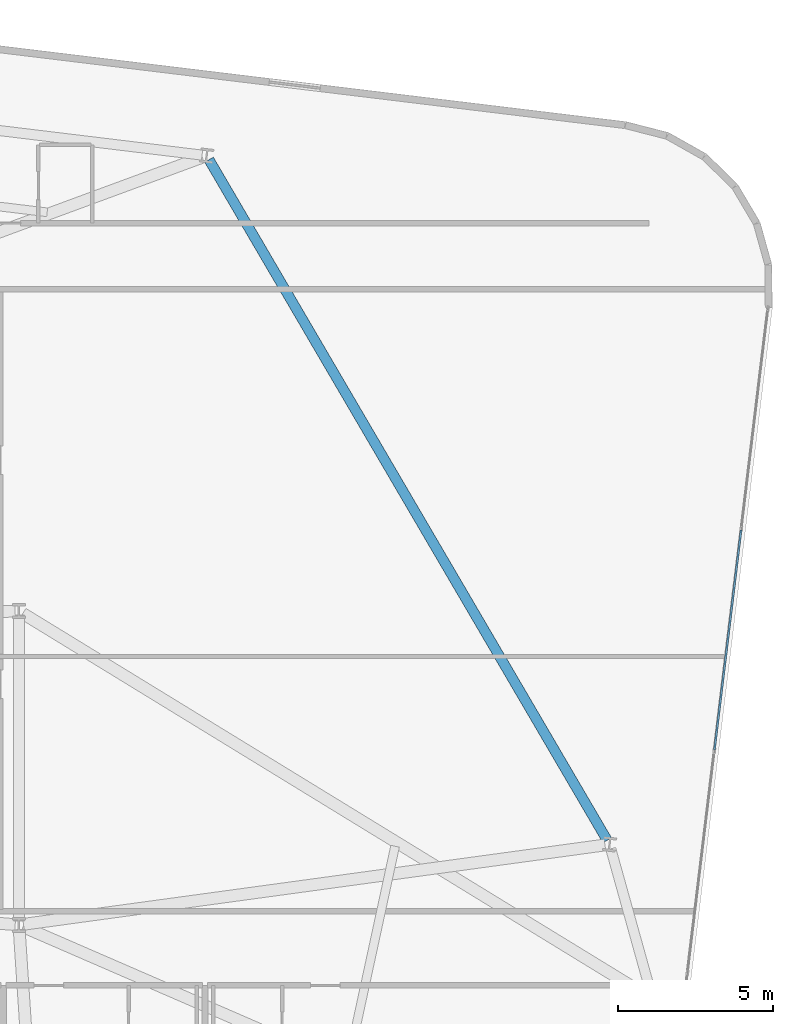
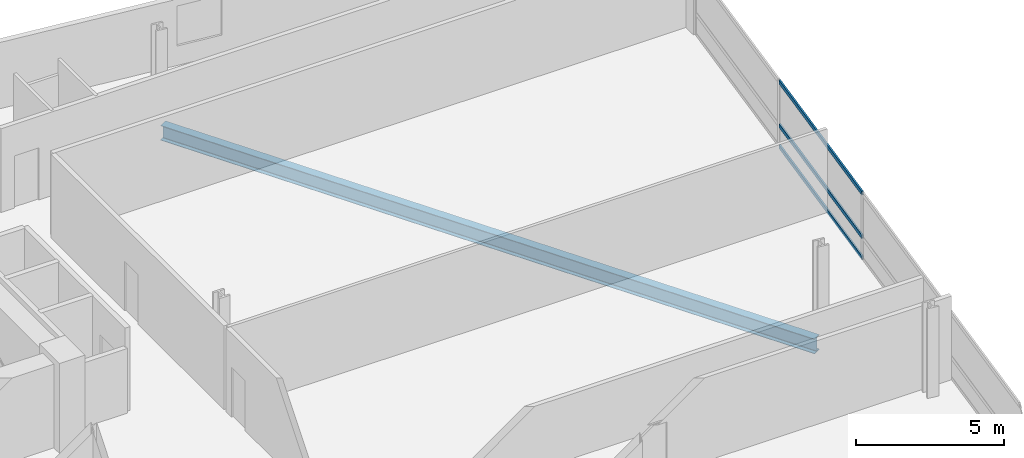
# One storey, part 17 of 26: 3 members, 1 beam, 1 element without a shape of its own.
"""IFC4 building model written with IfcOpenShell, lengths in metres."""

from ifc_helpers import new_model, si_unit, direction, frame, origin, origin_2d, place, context, subcontext, project, spatial, hollow_rectangle, i_section, extrude, material, layer, layer_set, material_profile, profile_set, type_object, element, aggregate, save


model = new_model("IFC4")

# Units and contexts
model_context = context("Model", 3, precision=1e-05, world=origin(), true_north=direction((0.0, 1.0)))
body_context = subcontext(model_context, "Body", "Model", "MODEL_VIEW")
ifc_project = project(units=[si_unit("LENGTHUNIT", "METRE"), si_unit("AREAUNIT", "SQUARE_METRE"), si_unit("VOLUMEUNIT", "CUBIC_METRE"), si_unit("PLANEANGLEUNIT", "RADIAN"), si_unit("MASSUNIT", "GRAM", prefix="KILO")], contexts=[model_context])

# Site, building, storey
site_placement = place(None, origin())
site = spatial("IfcSite", under=ifc_project, at=site_placement, CompositionType="ELEMENT")
building_placement = place(site_placement, origin())
building = spatial("IfcBuilding", under=site, at=building_placement, Name="Varnelok Gate Tower", CompositionType="ELEMENT")
storey_placement = place(building_placement, frame((0.0, 0.0, 125.39990234375)))
storey = spatial("IfcBuildingStorey", under=building, at=storey_placement, Name="L31", CompositionType="ELEMENT", Elevation=125.39990234375)

# Beam
ifc_material_1 = material(Name="Structural Steel ASTM A992 Grade 50", Category="steel")
ifc_material_profile_1 = material_profile(ifc_material_1, i_section(OverallWidth=0.323974609375, OverallDepth=0.611083984375, WebThickness=0.0126953125, FlangeThickness=0.01904296875, FilletRadius=0.01806640625, at=origin_2d()), Name="W24X104")
ifc_profile_set_1 = profile_set([ifc_material_profile_1], Name="Structural Steel ASTM A992 Grade 50")
beam_type = type_object("IfcBeamType", Name="BM-SPN-W24X104", PredefinedType="SPANDREL", material=ifc_profile_set_1)
beam_placement = place(storey_placement, frame((72.96875, 21.528076171875, -0.555419921875), z_axis=(-0.504960797965, 0.863142278259, 0.0), x_axis=(-0.863142278259, -0.504960797965, 0.0)))
element("IfcBeam", 1, at=beam_placement, inside=storey, type_object=beam_type, Name="L31 Perimeter Spandrel Beam 8", PredefinedType="SPANDREL", context=body_context, shape_type="SweptSolid", body=[
    extrude(i_section(OverallWidth=0.323974609375, OverallDepth=0.611083984375, WebThickness=0.0126953125, FlangeThickness=0.01904296875, FilletRadius=0.01806640625, at=origin_2d()), origin(), (0.0, 0.0, 1.0), 25.425537109375),
])

# Curtain wall, members
ifc_material_2 = material(Name="Anodized Aluminum Alloy 6063-T6", Category="aluminium")
ifc_layer = layer(ifc_material_2, 0.179931640625)
ifc_layer_set = layer_set([ifc_layer], Name="Anodized Aluminum Alloy 6063-T6")
curtain_wall_type = type_object("IfcCurtainWallType", Name="CW3-HOTEL-VISION", PredefinedType="USERDEFINED", material=ifc_layer_set)
curtain_wall_placement = place(storey_placement, origin())
curtain_wall = element("IfcCurtainWall", 2, at=curtain_wall_placement, inside=storey, type_object=curtain_wall_type, Name="L31 East End Vision Curtain Wall", ObjectType="UNITISED CURTAIN WALL", PredefinedType="USERDEFINED")
ifc_material_profile_2 = material_profile(ifc_material_2, hollow_rectangle(XDim=0.06494140625, YDim=0.159912109375, WallThickness=0.00390625, at=origin_2d()), Name="ALU160X65X4")
ifc_profile_set_2 = profile_set([ifc_material_profile_2], Name="Anodized Aluminum Alloy 6063-T6")
member_type = type_object("IfcMemberType", Name="CW-TRAN-160", PredefinedType="USERDEFINED", material=ifc_profile_set_2)
member_1_placement = place(storey_placement, frame((77.286376953125, 31.529296875, 0.03271484375), z_axis=(-0.120340564253, -0.992732667235, 0.0), x_axis=(0.992732667235, -0.120340564253, 0.0)))
member_1 = element("IfcMember", 3, at=member_1_placement, type_object=member_type, Name="CW3 transom 2.1", ObjectType="TRANSOM", PredefinedType="USERDEFINED", context=body_context, shape_type="SweptSolid", body=[
    extrude(hollow_rectangle(XDim=0.06494140625, YDim=0.159912109375, WallThickness=0.00390625, at=origin_2d()), origin(), (0.0, 0.0, 1.0), 7.135009765625),
])
member_2_placement = place(storey_placement, frame((77.286376953125, 31.529296875, 0.900146484375), z_axis=(-0.120340564253, -0.992732667235, 0.0), x_axis=(0.992732667235, -0.120340564253, 0.0)))
member_2 = element("IfcMember", 4, at=member_2_placement, type_object=member_type, Name="CW3 transom 2.2", ObjectType="TRANSOM", PredefinedType="USERDEFINED", context=body_context, shape_type="SweptSolid", body=[
    extrude(hollow_rectangle(XDim=0.06494140625, YDim=0.159912109375, WallThickness=0.00390625, at=origin_2d()), origin(), (0.0, 0.0, 1.0), 7.135009765625),
])
member_3_placement = place(storey_placement, frame((77.286376953125, 31.529296875, 2.697509765625), z_axis=(-0.120340564253, -0.992732667235, 0.0), x_axis=(0.992732667235, -0.120340564253, 0.0)))
member_3 = element("IfcMember", 5, at=member_3_placement, type_object=member_type, Name="CW3 transom 2.3", ObjectType="TRANSOM", PredefinedType="USERDEFINED", context=body_context, shape_type="SweptSolid", body=[
    extrude(hollow_rectangle(XDim=0.06494140625, YDim=0.159912109375, WallThickness=0.00390625, at=origin_2d()), origin(), (0.0, 0.0, 1.0), 7.135009765625),
])
aggregate(curtain_wall, [member_1, member_2, member_3])

save(model, "model.ifc")
